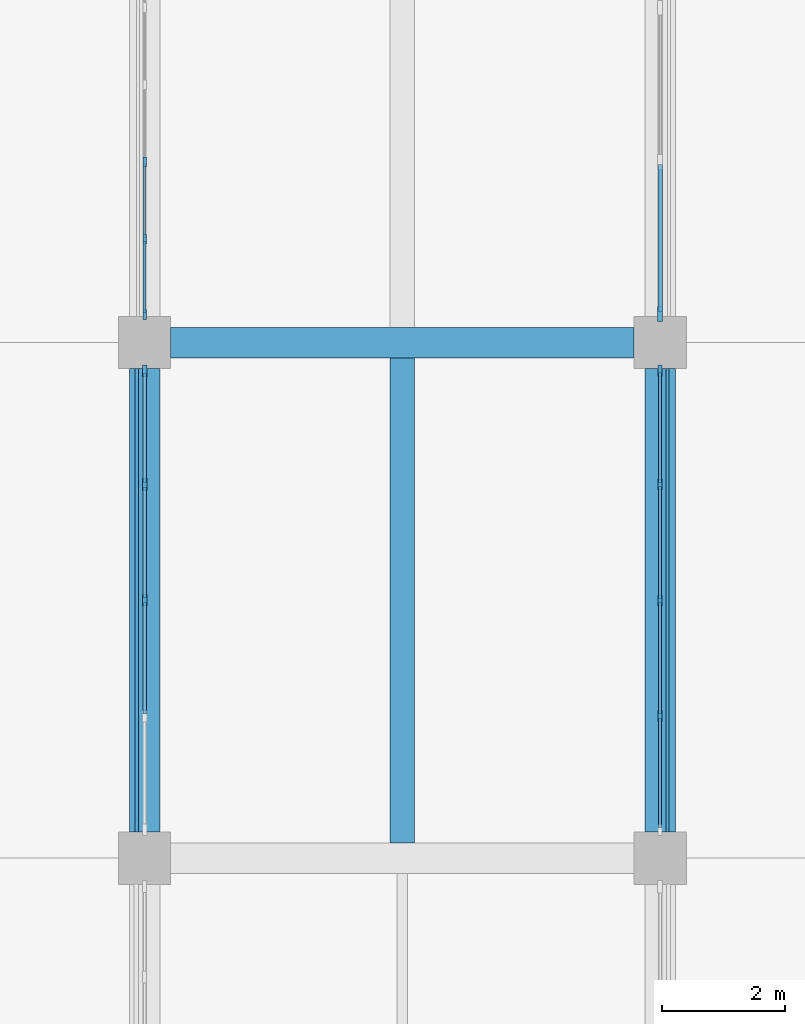
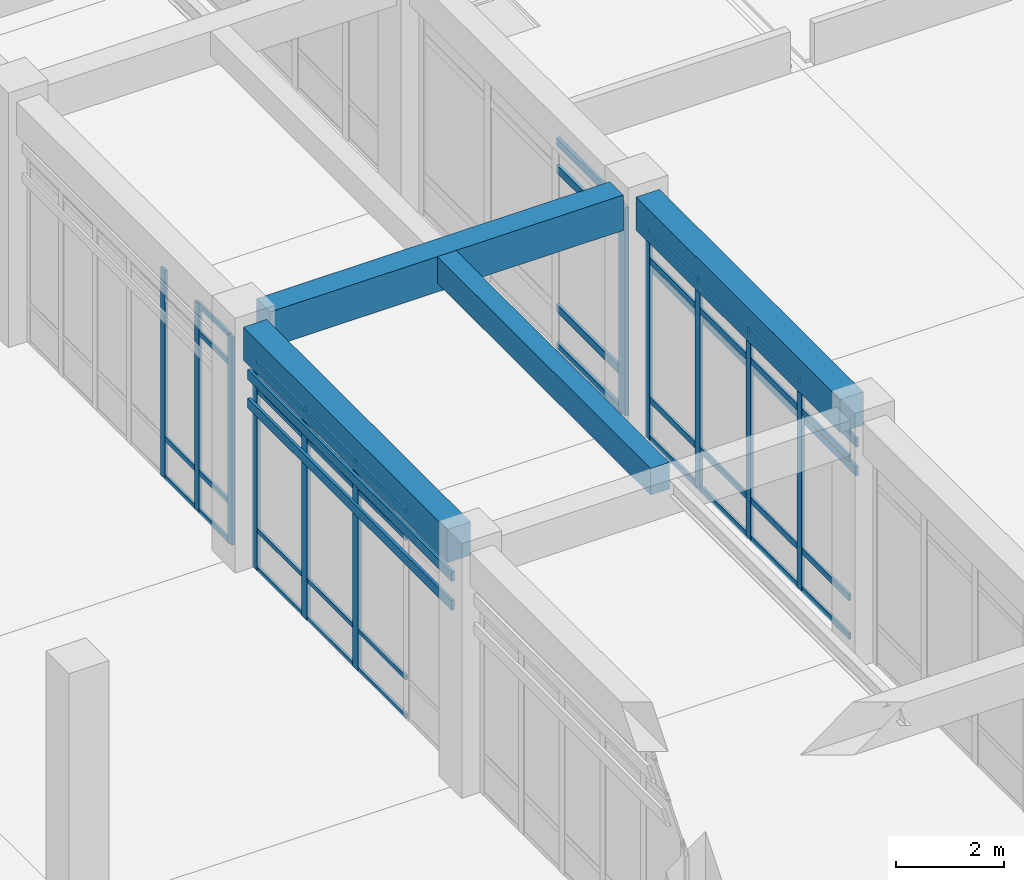
# One storey, part 17 of 91: 53 members, 4 beams, 4 elements without a shape of their own.
"""IFC4 building model written with IfcOpenShell, lengths in metres."""

from ifc_helpers import new_model, si_unit, direction, frame, origin, origin_2d, place, context, subcontext, project, spatial, rectangle, extrude, material, layer, layer_set, material_profile, profile_set, type_object, element, aggregate, save


model = new_model("IFC4")

# Units and contexts
model_context = context("Model", 3, precision=1e-05, world=origin(), true_north=direction((0.0, 1.0)))
body_context = subcontext(model_context, "Body", "Model", "MODEL_VIEW")
ifc_project = project(units=[si_unit("LENGTHUNIT", "METRE"), si_unit("AREAUNIT", "SQUARE_METRE"), si_unit("VOLUMEUNIT", "CUBIC_METRE"), si_unit("PLANEANGLEUNIT", "RADIAN"), si_unit("MASSUNIT", "GRAM", prefix="KILO")], contexts=[model_context])

# Site, building, storey
site_placement = place(None, origin())
site = spatial("IfcSite", under=ifc_project, at=site_placement, CompositionType="ELEMENT")
building_placement = place(site_placement, origin())
building = spatial("IfcBuilding", under=site, at=building_placement, Name="Porcellanite Civic Hall", CompositionType="ELEMENT")
storey_placement = place(building_placement, origin())
storey = spatial("IfcBuildingStorey", under=building, at=storey_placement, Name="L00", CompositionType="ELEMENT", Elevation=0.0)

# Beams
ifc_material_1 = material(Name="Concrete N50 (50 MPa)", Category="concrete")
ifc_material_profile_1 = material_profile(ifc_material_1, rectangle(XDim=0.39990234375, YDim=0.60009765625, at=origin_2d()), Name="RC-400x600")
ifc_profile_set_1 = profile_set([ifc_material_profile_1], Name="Concrete N50 (50 MPa)")
beam_type_1 = type_object("IfcBeamType", Name="BM-RC600", PredefinedType="JOIST", material=ifc_profile_set_1)
beam_1_placement = place(storey_placement, frame((54.60009765625, 75.849609375, 5.199951171875), z_axis=(0.0, 1.0, 0.0), x_axis=(-1.0, 0.0, 0.0)))
element("IfcBeam", 1, at=beam_1_placement, inside=storey, type_object=beam_type_1, Name="Secondary joist L00 7-10", PredefinedType="JOIST", context=body_context, shape_type="SweptSolid", body=[
    extrude(rectangle(XDim=0.39990234375, YDim=0.60009765625, at=origin_2d()), origin(), (0.0, 0.0, 1.0), 7.90087890625),
])
ifc_material_2 = material(Name="Concrete N50 (50 MPa)", Category="concrete")
ifc_material_profile_2 = material_profile(ifc_material_2, rectangle(XDim=0.5, YDim=0.75, at=origin_2d()), Name="RC-500x750")
ifc_profile_set_2 = profile_set([ifc_material_profile_2], Name="Concrete N50 (50 MPa)")
beam_type_2 = type_object("IfcBeamType", Name="BM-RC750", PredefinedType="SPANDREL", material=ifc_profile_set_2)
for number, where, z_axis, x_axis, name in (
    (2, (50.39990234375, 76.0244140625, 5.125), (0.0, 1.0, 0.0), (-1.0, 0.0, 0.0), "Beam Y L00 7-10"),
    (3, (58.800048828125, 76.0244140625, 5.125), (0.0, 1.0, 0.0), (-1.0, 0.0, 0.0), "Beam Y L00 8-10"),
):
    element("IfcBeam", number, at=place(storey_placement, frame(where, z_axis=z_axis, x_axis=x_axis)), inside=storey, type_object=beam_type_2, Name=name, PredefinedType="SPANDREL", context=body_context, shape_type="SweptSolid", body=[
        extrude(rectangle(XDim=0.5, YDim=0.75, at=origin_2d()), origin(), (0.0, 0.0, 1.0), 7.551025390625),
    ])
ifc_material_3 = material(Name="Concrete N50 (50 MPa)", Category="concrete")
ifc_material_profile_3 = material_profile(ifc_material_3, rectangle(XDim=0.5, YDim=0.800048828125, at=origin_2d()), Name="RC-500x800")
ifc_profile_set_3 = profile_set([ifc_material_profile_3], Name="Concrete N50 (50 MPa)")
beam_type_3 = type_object("IfcBeamType", Name="BM-RC800", PredefinedType="BEAM", material=ifc_profile_set_3)
beam_2_placement = place(storey_placement, frame((50.824462890625, 84.0, 5.10009765625), z_axis=(1.0, 0.0, 0.0), x_axis=(0.0, 1.0, 0.0)))
element("IfcBeam", 4, at=beam_2_placement, inside=storey, type_object=beam_type_3, Name="Beam X L00 7-11", PredefinedType="BEAM", context=body_context, shape_type="SweptSolid", body=[
    extrude(rectangle(XDim=0.5, YDim=0.800048828125, at=origin_2d()), origin(), (0.0, 0.0, 1.0), 7.551025390625),
])

# Curtain wall, member
ifc_material_4 = material(Name="Anodised aluminium and solar laminated glass", Category="aluminium")
ifc_layer_1 = layer(ifc_material_4, 0.179931640625)
ifc_layer_set_1 = layer_set([ifc_layer_1], Name="Anodised aluminium and solar laminated glass")
curtain_wall_type_1 = type_object("IfcCurtainWallType", Name="CW-SYS08", PredefinedType="NOTDEFINED", material=ifc_layer_set_1)
curtain_wall_1_placement = place(storey_placement, origin())
curtain_wall_1 = element("IfcCurtainWall", 5, at=curtain_wall_1_placement, inside=storey, type_object=curtain_wall_type_1, Name="Curtain wall CW-022", PredefinedType="NOTDEFINED")
ifc_material_5 = material(Name="Anodised aluminium 6063-T6", Category="aluminium")
ifc_material_profile_4 = material_profile(ifc_material_5, rectangle(XDim=0.080078125, YDim=0.239990234375, at=origin_2d()), Name="AL-80x240")
ifc_profile_set_4 = profile_set([ifc_material_profile_4], Name="Anodised aluminium 6063-T6")
member_type_1 = type_object("IfcMemberType", Name="CWM-01", PredefinedType="MULLION", material=ifc_profile_set_4)
member_1_placement = place(storey_placement, frame((58.800048828125, 84.466064453125, 0.0), z_axis=(0.0, 0.0, 1.0), x_axis=(1.0, 0.0, 0.0)))
member_1 = element("IfcMember", 6, at=member_1_placement, type_object=member_type_1, Name="CW-022 mullion 4", PredefinedType="MULLION", context=body_context, shape_type="SweptSolid", body=[
    extrude(rectangle(XDim=0.080078125, YDim=0.239990234375, at=origin_2d()), origin(), (0.0, 0.0, 1.0), 4.699951171875),
])

# Curtain wall, members
ifc_material_6 = material(Name="Anodised aluminium and solar laminated glass", Category="aluminium")
ifc_layer_2 = layer(ifc_material_6, 0.179931640625)
ifc_layer_set_2 = layer_set([ifc_layer_2], Name="Anodised aluminium and solar laminated glass")
curtain_wall_type_2 = type_object("IfcCurtainWallType", Name="CW-SYS04", PredefinedType="NOTDEFINED", material=ifc_layer_set_2)
curtain_wall_2_placement = place(storey_placement, origin())
curtain_wall_2 = element("IfcCurtainWall", 7, at=curtain_wall_2_placement, inside=storey, type_object=curtain_wall_type_2, Name="Curtain wall CW-019", PredefinedType="NOTDEFINED")
ifc_material_7 = material(Name="Anodised aluminium 6063-T6", Category="aluminium")
ifc_material_profile_5 = material_profile(ifc_material_7, rectangle(XDim=0.074951171875, YDim=0.18994140625, at=origin_2d()), Name="AL-75x190")
ifc_profile_set_5 = profile_set([ifc_material_profile_5], Name="Anodised aluminium 6063-T6")
member_type_2 = type_object("IfcMemberType", Name="CWM-04", PredefinedType="MULLION", material=ifc_profile_set_5)
member_2_placement = place(storey_placement, frame((50.39990234375, 79.800048828125, 0.0), z_axis=(0.0, 0.0, 1.0), x_axis=(-1.0, 0.0, 0.0)))
member_2 = element("IfcMember", 8, at=member_2_placement, type_object=member_type_2, Name="CW-019 mullion 3", PredefinedType="MULLION", context=body_context, shape_type="SweptSolid", body=[
    extrude(rectangle(XDim=0.074951171875, YDim=0.18994140625, at=origin_2d()), origin(), (0.0, 0.0, 1.0), 4.699951171875),
])
member_3_placement = place(storey_placement, frame((50.39990234375, 81.68701171875, 0.0), z_axis=(0.0, 0.0, 1.0), x_axis=(-1.0, 0.0, 0.0)))
member_3 = element("IfcMember", 9, at=member_3_placement, type_object=member_type_2, Name="CW-019 mullion 4", PredefinedType="MULLION", context=body_context, shape_type="SweptSolid", body=[
    extrude(rectangle(XDim=0.074951171875, YDim=0.18994140625, at=origin_2d()), origin(), (0.0, 0.0, 1.0), 4.699951171875),
])
member_4_placement = place(storey_placement, frame((50.39990234375, 83.53662109375, 0.0), z_axis=(0.0, 0.0, 1.0), x_axis=(-1.0, 0.0, 0.0)))
member_4 = element("IfcMember", 10, at=member_4_placement, type_object=member_type_2, Name="CW-019 mullion 5", PredefinedType="MULLION", context=body_context, shape_type="SweptSolid", body=[
    extrude(rectangle(XDim=0.074951171875, YDim=0.18994140625, at=origin_2d()), origin(), (0.0, 0.0, 1.0), 4.699951171875),
])

ifc_material_8 = material(Name="Anodised aluminium and solar laminated glass", Category="aluminium")
ifc_layer_3 = layer(ifc_material_8, 0.179931640625)
ifc_layer_set_3 = layer_set([ifc_layer_3], Name="Anodised aluminium and solar laminated glass")
curtain_wall_type_3 = type_object("IfcCurtainWallType", Name="CW-SYS06", PredefinedType="NOTDEFINED", material=ifc_layer_set_3)
curtain_wall_3_placement = place(storey_placement, origin())
curtain_wall_3 = element("IfcCurtainWall", 11, at=curtain_wall_3_placement, inside=storey, type_object=curtain_wall_type_3, Name="Curtain wall CW-020", PredefinedType="NOTDEFINED")
ifc_material_9 = material(Name="Anodised aluminium 6063-T6", Category="aluminium")
ifc_material_profile_6 = material_profile(ifc_material_9, rectangle(XDim=0.06494140625, YDim=0.179931640625, at=origin_2d()), Name="AL-65x180")
ifc_profile_set_6 = profile_set([ifc_material_profile_6], Name="Anodised aluminium 6063-T6")
member_type_3 = type_object("IfcMemberType", Name="CWM-06", PredefinedType="MULLION", material=ifc_profile_set_6)
member_5_placement = place(storey_placement, frame((58.800048828125, 83.54150390625, 0.0), z_axis=(0.0, 0.0, 1.0), x_axis=(1.0, 0.0, 0.0)))
member_5 = element("IfcMember", 12, at=member_5_placement, type_object=member_type_3, Name="CW-020 mullion 1", PredefinedType="MULLION", context=body_context, shape_type="SweptSolid", body=[
    extrude(rectangle(XDim=0.06494140625, YDim=0.179931640625, at=origin_2d()), origin(), (0.0, 0.0, 1.0), 4.699951171875),
])
member_6_placement = place(storey_placement, frame((58.800048828125, 81.68701171875, 0.0), z_axis=(0.0, 0.0, 1.0), x_axis=(1.0, 0.0, 0.0)))
member_6 = element("IfcMember", 13, at=member_6_placement, type_object=member_type_3, Name="CW-020 mullion 2", PredefinedType="MULLION", context=body_context, shape_type="SweptSolid", body=[
    extrude(rectangle(XDim=0.06494140625, YDim=0.179931640625, at=origin_2d()), origin(), (0.0, 0.0, 1.0), 4.699951171875),
])
member_7_placement = place(storey_placement, frame((58.800048828125, 79.800048828125, 0.0), z_axis=(0.0, 0.0, 1.0), x_axis=(1.0, 0.0, 0.0)))
member_7 = element("IfcMember", 14, at=member_7_placement, type_object=member_type_3, Name="CW-020 mullion 3", PredefinedType="MULLION", context=body_context, shape_type="SweptSolid", body=[
    extrude(rectangle(XDim=0.06494140625, YDim=0.179931640625, at=origin_2d()), origin(), (0.0, 0.0, 1.0), 4.699951171875),
])
member_8_placement = place(storey_placement, frame((58.800048828125, 77.9130859375, 0.0), z_axis=(0.0, 0.0, 1.0), x_axis=(1.0, 0.0, 0.0)))
member_8 = element("IfcMember", 15, at=member_8_placement, type_object=member_type_3, Name="CW-020 mullion 4", PredefinedType="MULLION", context=body_context, shape_type="SweptSolid", body=[
    extrude(rectangle(XDim=0.06494140625, YDim=0.179931640625, at=origin_2d()), origin(), (0.0, 0.0, 1.0), 4.699951171875),
])

ifc_material_10 = material(Name="Anodised aluminium and solar laminated glass", Category="aluminium")
ifc_layer_4 = layer(ifc_material_10, 0.179931640625)
ifc_layer_set_4 = layer_set([ifc_layer_4], Name="Anodised aluminium and solar laminated glass")
curtain_wall_type_4 = type_object("IfcCurtainWallType", Name="CW-SYS07", PredefinedType="NOTDEFINED", material=ifc_layer_set_4)
curtain_wall_4_placement = place(storey_placement, origin())
curtain_wall_4 = element("IfcCurtainWall", 16, at=curtain_wall_4_placement, inside=storey, type_object=curtain_wall_type_4, Name="Curtain wall CW-021", PredefinedType="NOTDEFINED")
ifc_material_11 = material(Name="Anodised aluminium 6063-T6", Category="aluminium")
ifc_material_profile_7 = material_profile(ifc_material_11, rectangle(XDim=0.06005859375, YDim=0.159912109375, at=origin_2d()), Name="AL-60x160")
ifc_profile_set_7 = profile_set([ifc_material_profile_7], Name="Anodised aluminium 6063-T6")
member_type_4 = type_object("IfcMemberType", Name="CWM-07", PredefinedType="MULLION", material=ifc_profile_set_7)
member_9_placement = place(storey_placement, frame((50.39990234375, 84.4560546875, 0.0), z_axis=(0.0, 0.0, 1.0), x_axis=(-1.0, 0.0, 0.0)))
member_9 = element("IfcMember", 17, at=member_9_placement, type_object=member_type_4, Name="CW-021 mullion 1", PredefinedType="MULLION", context=body_context, shape_type="SweptSolid", body=[
    extrude(rectangle(XDim=0.06005859375, YDim=0.159912109375, at=origin_2d()), origin(), (0.0, 0.0, 1.0), 4.699951171875),
])
member_10_placement = place(storey_placement, frame((50.39990234375, 85.68408203125, 0.0), z_axis=(0.0, 0.0, 1.0), x_axis=(-1.0, 0.0, 0.0)))
member_10 = element("IfcMember", 18, at=member_10_placement, type_object=member_type_4, Name="CW-021 mullion 2", PredefinedType="MULLION", context=body_context, shape_type="SweptSolid", body=[
    extrude(rectangle(XDim=0.06005859375, YDim=0.159912109375, at=origin_2d()), origin(), (0.0, 0.0, 1.0), 4.699951171875),
])
member_11_placement = place(storey_placement, frame((50.39990234375, 86.94189453125, 0.0), z_axis=(0.0, 0.0, 1.0), x_axis=(-1.0, 0.0, 0.0)))
member_11 = element("IfcMember", 19, at=member_11_placement, type_object=member_type_4, Name="CW-021 mullion 3", PredefinedType="MULLION", context=body_context, shape_type="SweptSolid", body=[
    extrude(rectangle(XDim=0.06005859375, YDim=0.159912109375, at=origin_2d()), origin(), (0.0, 0.0, 1.0), 4.699951171875),
])

# Member
ifc_material_12 = material(Name="Anodised aluminium 6063-T6", Category="aluminium")
ifc_material_profile_8 = material_profile(ifc_material_12, rectangle(XDim=0.070068359375, YDim=0.175048828125, at=origin_2d()), Name="AL-70x175")
ifc_profile_set_8 = profile_set([ifc_material_profile_8], Name="Anodised aluminium 6063-T6")
member_type_5 = type_object("IfcMemberType", Name="CWT-01", PredefinedType="USERDEFINED", material=ifc_profile_set_8)
member_12_placement = place(storey_placement, frame((58.800048828125, 86.902099609375, 0.034912109375), z_axis=(0.0, -1.0, 0.0), x_axis=(1.0, 0.0, 0.0)))
member_12 = element("IfcMember", 20, at=member_12_placement, type_object=member_type_5, Name="CW-022 transom 3.1", ObjectType="TRANSOM", PredefinedType="USERDEFINED", context=body_context, shape_type="SweptSolid", body=[
    extrude(rectangle(XDim=0.070068359375, YDim=0.175048828125, at=origin_2d()), origin(), (0.0, 0.0, 1.0), 2.39599609375),
])

member_13_placement = place(storey_placement, frame((58.800048828125, 86.902099609375, 0.89990234375), z_axis=(0.0, -1.0, 0.0), x_axis=(1.0, 0.0, 0.0)))
member_13 = element("IfcMember", 21, at=member_13_placement, type_object=member_type_5, Name="CW-022 transom 3.2", ObjectType="TRANSOM", PredefinedType="USERDEFINED", context=body_context, shape_type="SweptSolid", body=[
    extrude(rectangle(XDim=0.070068359375, YDim=0.175048828125, at=origin_2d()), origin(), (0.0, 0.0, 1.0), 2.39599609375),
])

member_14_placement = place(storey_placement, frame((58.800048828125, 86.902099609375, 4.050048828125), z_axis=(0.0, -1.0, 0.0), x_axis=(1.0, 0.0, 0.0)))
member_14 = element("IfcMember", 22, at=member_14_placement, type_object=member_type_5, Name="CW-022 transom 3.3", ObjectType="TRANSOM", PredefinedType="USERDEFINED", context=body_context, shape_type="SweptSolid", body=[
    extrude(rectangle(XDim=0.070068359375, YDim=0.175048828125, at=origin_2d()), origin(), (0.0, 0.0, 1.0), 2.39599609375),
])

member_15_placement = place(storey_placement, frame((58.800048828125, 86.902099609375, 4.6650390625), z_axis=(0.0, -1.0, 0.0), x_axis=(1.0, 0.0, 0.0)))
member_15 = element("IfcMember", 23, at=member_15_placement, type_object=member_type_5, Name="CW-022 transom 3.4", ObjectType="TRANSOM", PredefinedType="USERDEFINED", context=body_context, shape_type="SweptSolid", body=[
    extrude(rectangle(XDim=0.070068359375, YDim=0.175048828125, at=origin_2d()), origin(), (0.0, 0.0, 1.0), 2.39599609375),
])

aggregate(curtain_wall_1, [member_1, member_12, member_13, member_14, member_15])

ifc_material_13 = material(Name="Anodised aluminium 6063-T6", Category="aluminium")
ifc_material_profile_9 = material_profile(ifc_material_13, rectangle(XDim=0.054931640625, YDim=0.10009765625, at=origin_2d()), Name="AL-55x100")
ifc_profile_set_9 = profile_set([ifc_material_profile_9], Name="Anodised aluminium 6063-T6")
member_type_6 = type_object("IfcMemberType", Name="CWT-05", PredefinedType="USERDEFINED", material=ifc_profile_set_9)
member_16_placement = place(storey_placement, frame((50.39990234375, 77.950439453125, 0.027587890625), z_axis=(0.0, 1.0, 0.0), x_axis=(-1.0, 0.0, 0.0)))
member_16 = element("IfcMember", 24, at=member_16_placement, type_object=member_type_6, Name="CW-019 transom 2.1", ObjectType="TRANSOM", PredefinedType="USERDEFINED", context=body_context, shape_type="SweptSolid", body=[
    extrude(rectangle(XDim=0.054931640625, YDim=0.10009765625, at=origin_2d()), origin(), (0.0, 0.0, 1.0), 1.81201171875),
])

member_17_placement = place(storey_placement, frame((50.39990234375, 77.950439453125, 0.89990234375), z_axis=(0.0, 1.0, 0.0), x_axis=(-1.0, 0.0, 0.0)))
member_17 = element("IfcMember", 25, at=member_17_placement, type_object=member_type_6, Name="CW-019 transom 2.2", ObjectType="TRANSOM", PredefinedType="USERDEFINED", context=body_context, shape_type="SweptSolid", body=[
    extrude(rectangle(XDim=0.054931640625, YDim=0.10009765625, at=origin_2d()), origin(), (0.0, 0.0, 1.0), 1.81201171875),
])

member_18_placement = place(storey_placement, frame((50.39990234375, 77.950439453125, 4.050048828125), z_axis=(0.0, 1.0, 0.0), x_axis=(-1.0, 0.0, 0.0)))
member_18 = element("IfcMember", 26, at=member_18_placement, type_object=member_type_6, Name="CW-019 transom 2.3", ObjectType="TRANSOM", PredefinedType="USERDEFINED", context=body_context, shape_type="SweptSolid", body=[
    extrude(rectangle(XDim=0.054931640625, YDim=0.10009765625, at=origin_2d()), origin(), (0.0, 0.0, 1.0), 1.81201171875),
])

member_19_placement = place(storey_placement, frame((50.39990234375, 77.950439453125, 4.672607421875), z_axis=(0.0, 1.0, 0.0), x_axis=(-1.0, 0.0, 0.0)))
member_19 = element("IfcMember", 27, at=member_19_placement, type_object=member_type_6, Name="CW-019 transom 2.4", ObjectType="TRANSOM", PredefinedType="USERDEFINED", context=body_context, shape_type="SweptSolid", body=[
    extrude(rectangle(XDim=0.054931640625, YDim=0.10009765625, at=origin_2d()), origin(), (0.0, 0.0, 1.0), 1.81201171875),
])

member_20_placement = place(storey_placement, frame((50.39990234375, 79.83740234375, 0.027587890625), z_axis=(0.0, 1.0, 0.0), x_axis=(-1.0, 0.0, 0.0)))
member_20 = element("IfcMember", 28, at=member_20_placement, type_object=member_type_6, Name="CW-019 transom 3.1", ObjectType="TRANSOM", PredefinedType="USERDEFINED", context=body_context, shape_type="SweptSolid", body=[
    extrude(rectangle(XDim=0.054931640625, YDim=0.10009765625, at=origin_2d()), origin(), (0.0, 0.0, 1.0), 1.81201171875),
])

member_21_placement = place(storey_placement, frame((50.39990234375, 79.83740234375, 0.89990234375), z_axis=(0.0, 1.0, 0.0), x_axis=(-1.0, 0.0, 0.0)))
member_21 = element("IfcMember", 29, at=member_21_placement, type_object=member_type_6, Name="CW-019 transom 3.2", ObjectType="TRANSOM", PredefinedType="USERDEFINED", context=body_context, shape_type="SweptSolid", body=[
    extrude(rectangle(XDim=0.054931640625, YDim=0.10009765625, at=origin_2d()), origin(), (0.0, 0.0, 1.0), 1.81201171875),
])

member_22_placement = place(storey_placement, frame((50.39990234375, 79.83740234375, 4.050048828125), z_axis=(0.0, 1.0, 0.0), x_axis=(-1.0, 0.0, 0.0)))
member_22 = element("IfcMember", 30, at=member_22_placement, type_object=member_type_6, Name="CW-019 transom 3.3", ObjectType="TRANSOM", PredefinedType="USERDEFINED", context=body_context, shape_type="SweptSolid", body=[
    extrude(rectangle(XDim=0.054931640625, YDim=0.10009765625, at=origin_2d()), origin(), (0.0, 0.0, 1.0), 1.81201171875),
])

member_23_placement = place(storey_placement, frame((50.39990234375, 79.83740234375, 4.672607421875), z_axis=(0.0, 1.0, 0.0), x_axis=(-1.0, 0.0, 0.0)))
member_23 = element("IfcMember", 31, at=member_23_placement, type_object=member_type_6, Name="CW-019 transom 3.4", ObjectType="TRANSOM", PredefinedType="USERDEFINED", context=body_context, shape_type="SweptSolid", body=[
    extrude(rectangle(XDim=0.054931640625, YDim=0.10009765625, at=origin_2d()), origin(), (0.0, 0.0, 1.0), 1.81201171875),
])

member_24_placement = place(storey_placement, frame((50.39990234375, 81.724609375, 0.027587890625), z_axis=(0.0, 1.0, 0.0), x_axis=(-1.0, 0.0, 0.0)))
member_24 = element("IfcMember", 32, at=member_24_placement, type_object=member_type_6, Name="CW-019 transom 4.1", ObjectType="TRANSOM", PredefinedType="USERDEFINED", context=body_context, shape_type="SweptSolid", body=[
    extrude(rectangle(XDim=0.054931640625, YDim=0.10009765625, at=origin_2d()), origin(), (0.0, 0.0, 1.0), 1.7744140625),
])

member_25_placement = place(storey_placement, frame((50.39990234375, 81.724609375, 0.89990234375), z_axis=(0.0, 1.0, 0.0), x_axis=(-1.0, 0.0, 0.0)))
member_25 = element("IfcMember", 33, at=member_25_placement, type_object=member_type_6, Name="CW-019 transom 4.2", ObjectType="TRANSOM", PredefinedType="USERDEFINED", context=body_context, shape_type="SweptSolid", body=[
    extrude(rectangle(XDim=0.054931640625, YDim=0.10009765625, at=origin_2d()), origin(), (0.0, 0.0, 1.0), 1.7744140625),
])

member_26_placement = place(storey_placement, frame((50.39990234375, 81.724609375, 4.050048828125), z_axis=(0.0, 1.0, 0.0), x_axis=(-1.0, 0.0, 0.0)))
member_26 = element("IfcMember", 34, at=member_26_placement, type_object=member_type_6, Name="CW-019 transom 4.3", ObjectType="TRANSOM", PredefinedType="USERDEFINED", context=body_context, shape_type="SweptSolid", body=[
    extrude(rectangle(XDim=0.054931640625, YDim=0.10009765625, at=origin_2d()), origin(), (0.0, 0.0, 1.0), 1.7744140625),
])

member_27_placement = place(storey_placement, frame((50.39990234375, 81.724609375, 4.672607421875), z_axis=(0.0, 1.0, 0.0), x_axis=(-1.0, 0.0, 0.0)))
member_27 = element("IfcMember", 35, at=member_27_placement, type_object=member_type_6, Name="CW-019 transom 4.4", ObjectType="TRANSOM", PredefinedType="USERDEFINED", context=body_context, shape_type="SweptSolid", body=[
    extrude(rectangle(XDim=0.054931640625, YDim=0.10009765625, at=origin_2d()), origin(), (0.0, 0.0, 1.0), 1.7744140625),
])

aggregate(curtain_wall_2, [member_2, member_3, member_4, member_16, member_17, member_18, member_19, member_20, member_21, member_22, member_23, member_24, member_25, member_26, member_27])

ifc_material_14 = material(Name="Anodised aluminium 6063-T6", Category="aluminium")
ifc_material_profile_10 = material_profile(ifc_material_14, rectangle(XDim=0.050048828125, YDim=0.139892578125, at=origin_2d()), Name="AL-50x140")
ifc_profile_set_10 = profile_set([ifc_material_profile_10], Name="Anodised aluminium 6063-T6")
member_type_7 = type_object("IfcMemberType", Name="CWT-06", PredefinedType="USERDEFINED", material=ifc_profile_set_10)
member_28_placement = place(storey_placement, frame((58.800048828125, 83.509033203125, 0.02490234375), z_axis=(0.0, -1.0, 0.0), x_axis=(1.0, 0.0, 0.0)))
member_28 = element("IfcMember", 36, at=member_28_placement, type_object=member_type_7, Name="CW-020 transom 1.1", ObjectType="TRANSOM", PredefinedType="USERDEFINED", context=body_context, shape_type="SweptSolid", body=[
    extrude(rectangle(XDim=0.050048828125, YDim=0.139892578125, at=origin_2d()), origin(), (0.0, 0.0, 1.0), 1.78955078125),
])

member_29_placement = place(storey_placement, frame((58.800048828125, 83.509033203125, 0.89990234375), z_axis=(0.0, -1.0, 0.0), x_axis=(1.0, 0.0, 0.0)))
member_29 = element("IfcMember", 37, at=member_29_placement, type_object=member_type_7, Name="CW-020 transom 1.2", ObjectType="TRANSOM", PredefinedType="USERDEFINED", context=body_context, shape_type="SweptSolid", body=[
    extrude(rectangle(XDim=0.050048828125, YDim=0.139892578125, at=origin_2d()), origin(), (0.0, 0.0, 1.0), 1.78955078125),
])

member_30_placement = place(storey_placement, frame((58.800048828125, 83.509033203125, 4.050048828125), z_axis=(0.0, -1.0, 0.0), x_axis=(1.0, 0.0, 0.0)))
member_30 = element("IfcMember", 38, at=member_30_placement, type_object=member_type_7, Name="CW-020 transom 1.3", ObjectType="TRANSOM", PredefinedType="USERDEFINED", context=body_context, shape_type="SweptSolid", body=[
    extrude(rectangle(XDim=0.050048828125, YDim=0.139892578125, at=origin_2d()), origin(), (0.0, 0.0, 1.0), 1.78955078125),
])

member_31_placement = place(storey_placement, frame((58.800048828125, 83.509033203125, 4.675048828125), z_axis=(0.0, -1.0, 0.0), x_axis=(1.0, 0.0, 0.0)))
member_31 = element("IfcMember", 39, at=member_31_placement, type_object=member_type_7, Name="CW-020 transom 1.4", ObjectType="TRANSOM", PredefinedType="USERDEFINED", context=body_context, shape_type="SweptSolid", body=[
    extrude(rectangle(XDim=0.050048828125, YDim=0.139892578125, at=origin_2d()), origin(), (0.0, 0.0, 1.0), 1.78955078125),
])

member_32_placement = place(storey_placement, frame((58.800048828125, 81.654541015625, 0.02490234375), z_axis=(0.0, -1.0, 0.0), x_axis=(1.0, 0.0, 0.0)))
member_32 = element("IfcMember", 40, at=member_32_placement, type_object=member_type_7, Name="CW-020 transom 2.1", ObjectType="TRANSOM", PredefinedType="USERDEFINED", context=body_context, shape_type="SweptSolid", body=[
    extrude(rectangle(XDim=0.050048828125, YDim=0.139892578125, at=origin_2d()), origin(), (0.0, 0.0, 1.0), 1.822021484375),
])

member_33_placement = place(storey_placement, frame((58.800048828125, 81.654541015625, 0.89990234375), z_axis=(0.0, -1.0, 0.0), x_axis=(1.0, 0.0, 0.0)))
member_33 = element("IfcMember", 41, at=member_33_placement, type_object=member_type_7, Name="CW-020 transom 2.2", ObjectType="TRANSOM", PredefinedType="USERDEFINED", context=body_context, shape_type="SweptSolid", body=[
    extrude(rectangle(XDim=0.050048828125, YDim=0.139892578125, at=origin_2d()), origin(), (0.0, 0.0, 1.0), 1.822021484375),
])

member_34_placement = place(storey_placement, frame((58.800048828125, 81.654541015625, 4.050048828125), z_axis=(0.0, -1.0, 0.0), x_axis=(1.0, 0.0, 0.0)))
member_34 = element("IfcMember", 42, at=member_34_placement, type_object=member_type_7, Name="CW-020 transom 2.3", ObjectType="TRANSOM", PredefinedType="USERDEFINED", context=body_context, shape_type="SweptSolid", body=[
    extrude(rectangle(XDim=0.050048828125, YDim=0.139892578125, at=origin_2d()), origin(), (0.0, 0.0, 1.0), 1.822021484375),
])

member_35_placement = place(storey_placement, frame((58.800048828125, 81.654541015625, 4.675048828125), z_axis=(0.0, -1.0, 0.0), x_axis=(1.0, 0.0, 0.0)))
member_35 = element("IfcMember", 43, at=member_35_placement, type_object=member_type_7, Name="CW-020 transom 2.4", ObjectType="TRANSOM", PredefinedType="USERDEFINED", context=body_context, shape_type="SweptSolid", body=[
    extrude(rectangle(XDim=0.050048828125, YDim=0.139892578125, at=origin_2d()), origin(), (0.0, 0.0, 1.0), 1.822021484375),
])

member_36_placement = place(storey_placement, frame((58.800048828125, 79.767578125, 0.02490234375), z_axis=(0.0, -1.0, 0.0), x_axis=(1.0, 0.0, 0.0)))
member_36 = element("IfcMember", 44, at=member_36_placement, type_object=member_type_7, Name="CW-020 transom 3.1", ObjectType="TRANSOM", PredefinedType="USERDEFINED", context=body_context, shape_type="SweptSolid", body=[
    extrude(rectangle(XDim=0.050048828125, YDim=0.139892578125, at=origin_2d()), origin(), (0.0, 0.0, 1.0), 1.822021484375),
])

member_37_placement = place(storey_placement, frame((58.800048828125, 79.767578125, 0.89990234375), z_axis=(0.0, -1.0, 0.0), x_axis=(1.0, 0.0, 0.0)))
member_37 = element("IfcMember", 45, at=member_37_placement, type_object=member_type_7, Name="CW-020 transom 3.2", ObjectType="TRANSOM", PredefinedType="USERDEFINED", context=body_context, shape_type="SweptSolid", body=[
    extrude(rectangle(XDim=0.050048828125, YDim=0.139892578125, at=origin_2d()), origin(), (0.0, 0.0, 1.0), 1.822021484375),
])

member_38_placement = place(storey_placement, frame((58.800048828125, 79.767578125, 4.050048828125), z_axis=(0.0, -1.0, 0.0), x_axis=(1.0, 0.0, 0.0)))
member_38 = element("IfcMember", 46, at=member_38_placement, type_object=member_type_7, Name="CW-020 transom 3.3", ObjectType="TRANSOM", PredefinedType="USERDEFINED", context=body_context, shape_type="SweptSolid", body=[
    extrude(rectangle(XDim=0.050048828125, YDim=0.139892578125, at=origin_2d()), origin(), (0.0, 0.0, 1.0), 1.822021484375),
])

member_39_placement = place(storey_placement, frame((58.800048828125, 79.767578125, 4.675048828125), z_axis=(0.0, -1.0, 0.0), x_axis=(1.0, 0.0, 0.0)))
member_39 = element("IfcMember", 47, at=member_39_placement, type_object=member_type_7, Name="CW-020 transom 3.4", ObjectType="TRANSOM", PredefinedType="USERDEFINED", context=body_context, shape_type="SweptSolid", body=[
    extrude(rectangle(XDim=0.050048828125, YDim=0.139892578125, at=origin_2d()), origin(), (0.0, 0.0, 1.0), 1.822021484375),
])

member_40_placement = place(storey_placement, frame((58.800048828125, 77.880615234375, 0.02490234375), z_axis=(0.0, -1.0, 0.0), x_axis=(1.0, 0.0, 0.0)))
member_40 = element("IfcMember", 48, at=member_40_placement, type_object=member_type_7, Name="CW-020 transom 4.1", ObjectType="TRANSOM", PredefinedType="USERDEFINED", context=body_context, shape_type="SweptSolid", body=[
    extrude(rectangle(XDim=0.050048828125, YDim=0.139892578125, at=origin_2d()), origin(), (0.0, 0.0, 1.0), 1.78955078125),
])

member_41_placement = place(storey_placement, frame((58.800048828125, 77.880615234375, 0.89990234375), z_axis=(0.0, -1.0, 0.0), x_axis=(1.0, 0.0, 0.0)))
member_41 = element("IfcMember", 49, at=member_41_placement, type_object=member_type_7, Name="CW-020 transom 4.2", ObjectType="TRANSOM", PredefinedType="USERDEFINED", context=body_context, shape_type="SweptSolid", body=[
    extrude(rectangle(XDim=0.050048828125, YDim=0.139892578125, at=origin_2d()), origin(), (0.0, 0.0, 1.0), 1.78955078125),
])

member_42_placement = place(storey_placement, frame((58.800048828125, 77.880615234375, 4.050048828125), z_axis=(0.0, -1.0, 0.0), x_axis=(1.0, 0.0, 0.0)))
member_42 = element("IfcMember", 50, at=member_42_placement, type_object=member_type_7, Name="CW-020 transom 4.3", ObjectType="TRANSOM", PredefinedType="USERDEFINED", context=body_context, shape_type="SweptSolid", body=[
    extrude(rectangle(XDim=0.050048828125, YDim=0.139892578125, at=origin_2d()), origin(), (0.0, 0.0, 1.0), 1.78955078125),
])

member_43_placement = place(storey_placement, frame((58.800048828125, 77.880615234375, 4.675048828125), z_axis=(0.0, -1.0, 0.0), x_axis=(1.0, 0.0, 0.0)))
member_43 = element("IfcMember", 51, at=member_43_placement, type_object=member_type_7, Name="CW-020 transom 4.4", ObjectType="TRANSOM", PredefinedType="USERDEFINED", context=body_context, shape_type="SweptSolid", body=[
    extrude(rectangle(XDim=0.050048828125, YDim=0.139892578125, at=origin_2d()), origin(), (0.0, 0.0, 1.0), 1.78955078125),
])

aggregate(curtain_wall_3, [member_5, member_6, member_7, member_8, member_28, member_29, member_30, member_31, member_32, member_33, member_34, member_35, member_36, member_37, member_38, member_39, member_40, member_41, member_42, member_43])

ifc_material_15 = material(Name="Anodised aluminium 6063-T6", Category="aluminium")
ifc_material_profile_11 = material_profile(ifc_material_15, rectangle(XDim=0.050048828125, YDim=0.110107421875, at=origin_2d()), Name="AL-50x110")
ifc_profile_set_11 = profile_set([ifc_material_profile_11], Name="Anodised aluminium 6063-T6")
member_type_8 = type_object("IfcMemberType", Name="CWT-07", PredefinedType="USERDEFINED", material=ifc_profile_set_11)
member_44_placement = place(storey_placement, frame((50.39990234375, 84.486083984375, 0.02490234375), z_axis=(0.0, 1.0, 0.0), x_axis=(-1.0, 0.0, 0.0)))
member_44 = element("IfcMember", 52, at=member_44_placement, type_object=member_type_8, Name="CW-021 transom 1.1", ObjectType="TRANSOM", PredefinedType="USERDEFINED", context=body_context, shape_type="SweptSolid", body=[
    extrude(rectangle(XDim=0.050048828125, YDim=0.110107421875, at=origin_2d()), origin(), (0.0, 0.0, 1.0), 1.16796875),
])

member_45_placement = place(storey_placement, frame((50.39990234375, 84.486083984375, 0.89990234375), z_axis=(0.0, 1.0, 0.0), x_axis=(-1.0, 0.0, 0.0)))
member_45 = element("IfcMember", 53, at=member_45_placement, type_object=member_type_8, Name="CW-021 transom 1.2", ObjectType="TRANSOM", PredefinedType="USERDEFINED", context=body_context, shape_type="SweptSolid", body=[
    extrude(rectangle(XDim=0.050048828125, YDim=0.110107421875, at=origin_2d()), origin(), (0.0, 0.0, 1.0), 1.16796875),
])

member_46_placement = place(storey_placement, frame((50.39990234375, 84.486083984375, 4.050048828125), z_axis=(0.0, 1.0, 0.0), x_axis=(-1.0, 0.0, 0.0)))
member_46 = element("IfcMember", 54, at=member_46_placement, type_object=member_type_8, Name="CW-021 transom 1.3", ObjectType="TRANSOM", PredefinedType="USERDEFINED", context=body_context, shape_type="SweptSolid", body=[
    extrude(rectangle(XDim=0.050048828125, YDim=0.110107421875, at=origin_2d()), origin(), (0.0, 0.0, 1.0), 1.16796875),
])

member_47_placement = place(storey_placement, frame((50.39990234375, 84.486083984375, 4.675048828125), z_axis=(0.0, 1.0, 0.0), x_axis=(-1.0, 0.0, 0.0)))
member_47 = element("IfcMember", 55, at=member_47_placement, type_object=member_type_8, Name="CW-021 transom 1.4", ObjectType="TRANSOM", PredefinedType="USERDEFINED", context=body_context, shape_type="SweptSolid", body=[
    extrude(rectangle(XDim=0.050048828125, YDim=0.110107421875, at=origin_2d()), origin(), (0.0, 0.0, 1.0), 1.16796875),
])

member_48_placement = place(storey_placement, frame((50.39990234375, 85.714111328125, 0.02490234375), z_axis=(0.0, 1.0, 0.0), x_axis=(-1.0, 0.0, 0.0)))
member_48 = element("IfcMember", 56, at=member_48_placement, type_object=member_type_8, Name="CW-021 transom 2.1", ObjectType="TRANSOM", PredefinedType="USERDEFINED", context=body_context, shape_type="SweptSolid", body=[
    extrude(rectangle(XDim=0.050048828125, YDim=0.110107421875, at=origin_2d()), origin(), (0.0, 0.0, 1.0), 1.197998046875),
])

member_49_placement = place(storey_placement, frame((50.39990234375, 85.714111328125, 0.89990234375), z_axis=(0.0, 1.0, 0.0), x_axis=(-1.0, 0.0, 0.0)))
member_49 = element("IfcMember", 57, at=member_49_placement, type_object=member_type_8, Name="CW-021 transom 2.2", ObjectType="TRANSOM", PredefinedType="USERDEFINED", context=body_context, shape_type="SweptSolid", body=[
    extrude(rectangle(XDim=0.050048828125, YDim=0.110107421875, at=origin_2d()), origin(), (0.0, 0.0, 1.0), 1.197998046875),
])

aggregate(curtain_wall_4, [member_9, member_10, member_11, member_44, member_45, member_46, member_47, member_48, member_49])

# Members
ifc_material_16 = material(Name="Fluoropolymer bauxite-red aluminium 6063-T6", Category="aluminium")
ifc_material_profile_12 = material_profile(ifc_material_16, rectangle(XDim=0.06005859375, YDim=0.219970703125, at=origin_2d()), Name="AL-60x220")
ifc_profile_set_12 = profile_set([ifc_material_profile_12], Name="Fluoropolymer bauxite-red aluminium 6063-T6")
member_type_9 = type_object("IfcMemberType", Name="LV-BLD08", PredefinedType="USERDEFINED", material=ifc_profile_set_12)
for number, where, z_axis, x_axis, name in (
    (58, (50.27294921875, 76.0244140625, 4.39990234375), (0.0, 1.0, 0.0), (-1.0, 0.0, 0.0), "Cyclone sunshade louvre L00 W 6-9 1"),
    (59, (50.27294921875, 76.0244140625, 3.75), (0.0, 1.0, 0.0), (-1.0, 0.0, 0.0), "Cyclone sunshade louvre L00 W 6-9 2"),
):
    element("IfcMember", number, at=place(storey_placement, frame(where, z_axis=z_axis, x_axis=x_axis)), inside=storey, type_object=member_type_9, Name=name, ObjectType="LOUVRE BLADE", PredefinedType="USERDEFINED", context=body_context, shape_type="SweptSolid", body=[
        extrude(rectangle(XDim=0.06005859375, YDim=0.219970703125, at=origin_2d()), origin(), (0.0, 0.0, 1.0), 7.551025390625),
    ])
ifc_material_17 = material(Name="Fluoropolymer bauxite-red aluminium 6063-T6", Category="aluminium")
ifc_material_profile_13 = material_profile(ifc_material_17, rectangle(XDim=0.054931640625, YDim=0.199951171875, at=origin_2d()), Name="AL-55x200")
ifc_profile_set_13 = profile_set([ifc_material_profile_13], Name="Fluoropolymer bauxite-red aluminium 6063-T6")
member_type_10 = type_object("IfcMemberType", Name="LV-BLD09", PredefinedType="USERDEFINED", material=ifc_profile_set_13)
for number, where, z_axis, x_axis, name in (
    (60, (58.91943359375, 83.575439453125, 4.39990234375), (0.0, -1.0, 0.0), (1.0, 0.0, 0.0), "Cyclone sunshade louvre L00 E 6-9 1"),
    (61, (58.91943359375, 83.575439453125, 3.75), (0.0, -1.0, 0.0), (1.0, 0.0, 0.0), "Cyclone sunshade louvre L00 E 6-9 2"),
):
    element("IfcMember", number, at=place(storey_placement, frame(where, z_axis=z_axis, x_axis=x_axis)), inside=storey, type_object=member_type_10, Name=name, ObjectType="LOUVRE BLADE", PredefinedType="USERDEFINED", context=body_context, shape_type="SweptSolid", body=[
        extrude(rectangle(XDim=0.054931640625, YDim=0.199951171875, at=origin_2d()), origin(), (0.0, 0.0, 1.0), 7.551025390625),
    ])

save(model, "model.ifc")
